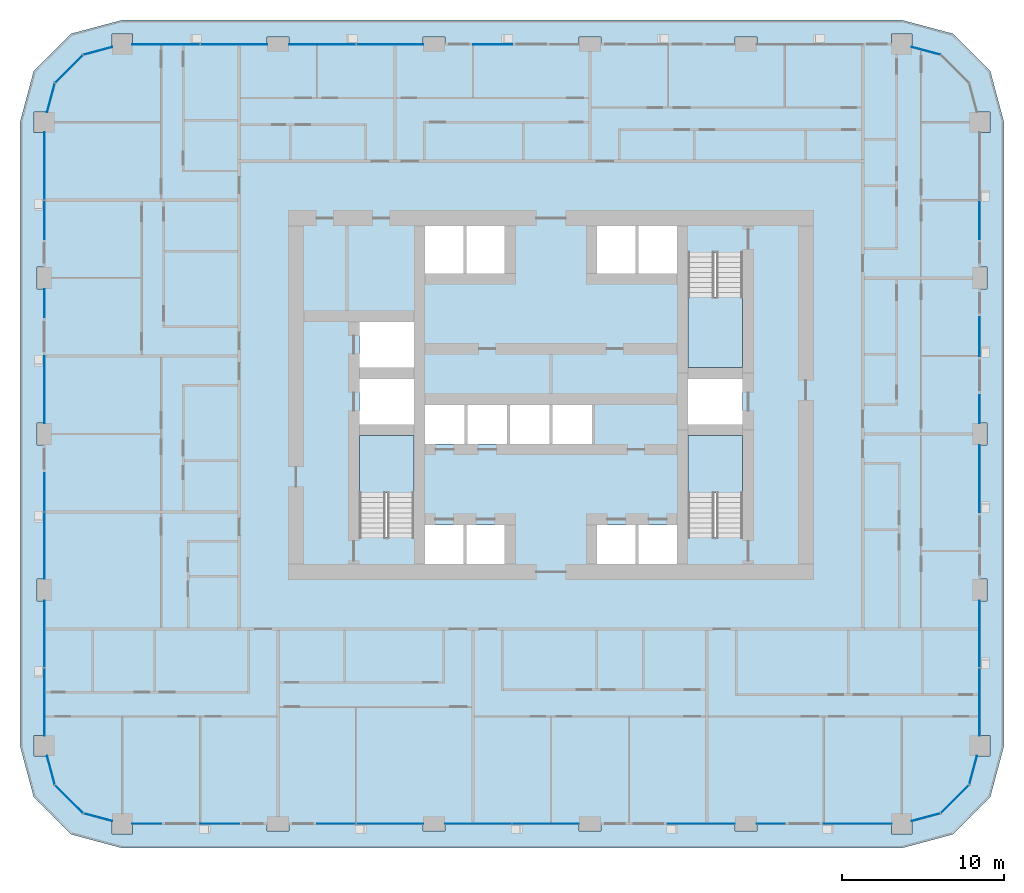
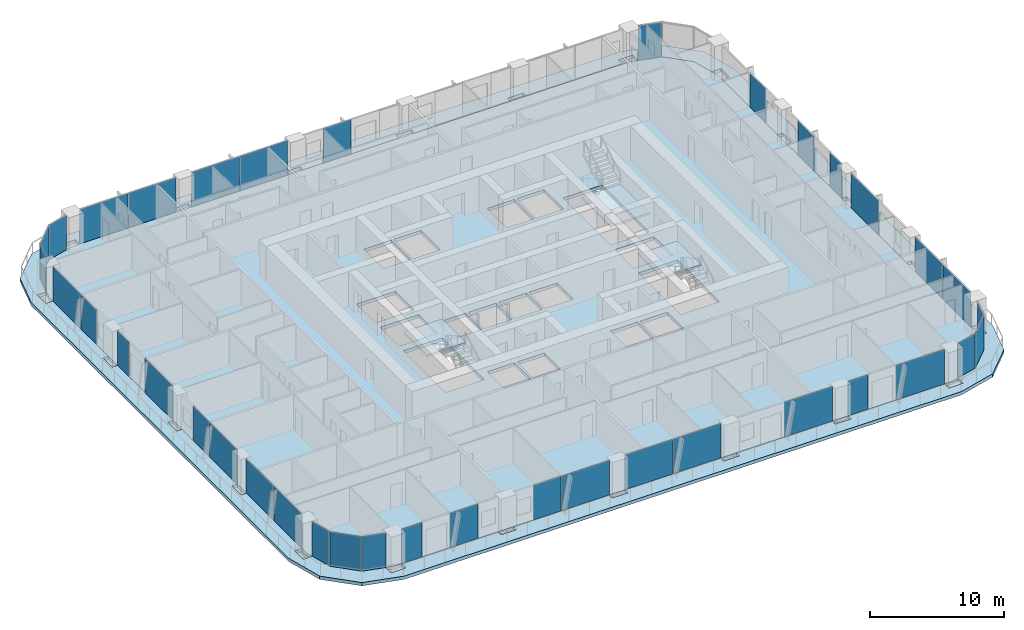
# One storey, part 7 of 21: 38 plates, 5 slabs, 23 elements without a shape of their own.
"""IFC4 building model written with IfcOpenShell, lengths in metres."""

from ifc_helpers import new_model, si_unit, direction, frame, origin, origin_2d, place, context, subcontext, project, spatial, polyline, rectangle, outline, extrude, material, layer, layer_set, type_object, element, aggregate, save


model = new_model("IFC4")

# Units and contexts
model_context = context("Model", 3, precision=1e-05, world=origin(), true_north=direction((0.0, 1.0)))
body_context = subcontext(model_context, "Body", "Model", "MODEL_VIEW")
ifc_project = project(units=[si_unit("LENGTHUNIT", "METRE"), si_unit("AREAUNIT", "SQUARE_METRE"), si_unit("VOLUMEUNIT", "CUBIC_METRE"), si_unit("PLANEANGLEUNIT", "RADIAN"), si_unit("MASSUNIT", "GRAM", prefix="KILO")], contexts=[model_context])

# Site, building, storey
site_placement = place(None, origin())
site = spatial("IfcSite", under=ifc_project, at=site_placement, CompositionType="ELEMENT")
building_placement = place(site_placement, origin())
building = spatial("IfcBuilding", under=site, at=building_placement, Name="Madar Terraces", CompositionType="ELEMENT")
storey_placement = place(building_placement, frame((0.0, 0.0, 39.89990234375)))
storey = spatial("IfcBuildingStorey", under=building, at=storey_placement, Name="L09", CompositionType="ELEMENT", Elevation=39.89990234375)

# Slabs
ifc_material_1 = material(Name="Concrete C50/60", Category="concrete")
ifc_layer_1 = layer(ifc_material_1, 0.300048828125)
ifc_layer_set_1 = layer_set([ifc_layer_1], Name="Balcony band 300")
slab_type_1 = type_object("IfcSlabType", Name="Balcony band 300", PredefinedType="FLOOR", material=ifc_layer_set_1)
slab_1_placement = place(storey_placement, frame((0.0, 0.0, -0.2998046875)))
element("IfcSlab", 1, at=slab_1_placement, inside=storey, type_object=slab_type_1, Name="Balcony band", PredefinedType="FLOOR", context=body_context, shape_type="SweptSolid", body=[
    extrude(outline(polyline([(4.800048828125, -1.5), (1.64990234375, -0.656005859375), (-0.656005859375, 1.64990234375), (-1.5, 4.800048828125), (-1.5, 43.199951171875), (-0.656005859375, 46.35009765625), (1.64990234375, 48.656005859375), (4.800048828125, 49.5), (52.800048828125, 49.5), (55.949951171875, 48.656005859375), (58.256103515625, 46.35009765625), (59.10009765625, 43.199951171875), (59.10009765625, 4.800048828125), (58.256103515625, 1.64990234375), (55.949951171875, -0.656005859375), (52.800048828125, -1.5), (4.800048828125, -1.5)]), holes=[polyline([(5.425048828125, -0.625), (5.425048828125, 0.0), (13.72509765625, 0.0), (13.72509765625, -0.449951171875), (15.074951171875, -0.449951171875), (15.074951171875, 0.0), (23.324951171875, 0.0), (23.324951171875, -0.449951171875), (24.675048828125, -0.449951171875), (24.675048828125, 0.0), (32.925048828125, 0.0), (32.925048828125, -0.449951171875), (34.27490234375, -0.449951171875), (34.27490234375, 0.0), (42.52490234375, 0.0), (42.52490234375, -0.449951171875), (43.875, -0.449951171875), (43.875, 0.0), (52.175048828125, 0.0), (52.175048828125, -0.625), (53.425048828125, -0.625), (53.425048828125, 0.16748046875), (55.199951171875, 0.64306640625), (56.956787109375, 2.39990234375), (57.4326171875, 4.175048828125), (58.22509765625, 4.175048828125), (58.22509765625, 5.425048828125), (57.60009765625, 5.425048828125), (57.60009765625, 13.72509765625), (58.050048828125, 13.72509765625), (58.050048828125, 15.074951171875), (57.60009765625, 15.074951171875), (57.60009765625, 23.324951171875), (58.050048828125, 23.324951171875), (58.050048828125, 24.675048828125), (57.60009765625, 24.675048828125), (57.60009765625, 32.925048828125), (58.050048828125, 32.925048828125), (58.050048828125, 34.27490234375), (57.60009765625, 34.27490234375), (57.60009765625, 42.574951171875), (58.22509765625, 42.574951171875), (58.22509765625, 43.824951171875), (57.4326171875, 43.824951171875), (56.956787109375, 45.60009765625), (55.199951171875, 47.35693359375), (53.425048828125, 47.83251953125), (53.425048828125, 48.625), (52.175048828125, 48.625), (52.175048828125, 48.0), (43.875, 48.0), (43.875, 48.449951171875), (42.52490234375, 48.449951171875), (42.52490234375, 48.0), (34.27490234375, 48.0), (34.27490234375, 48.449951171875), (32.925048828125, 48.449951171875), (32.925048828125, 48.0), (24.675048828125, 48.0), (24.675048828125, 48.449951171875), (23.324951171875, 48.449951171875), (23.324951171875, 48.0), (15.074951171875, 48.0), (15.074951171875, 48.449951171875), (13.72509765625, 48.449951171875), (13.72509765625, 48.0), (5.425048828125, 48.0), (5.425048828125, 48.625), (4.175048828125, 48.625), (4.175048828125, 47.83251953125), (2.39990234375, 47.35693359375), (0.64306640625, 45.60009765625), (0.16748046875, 43.824951171875), (-0.625, 43.824951171875), (-0.625, 42.574951171875), (0.0, 42.574951171875), (0.0, 34.27490234375), (-0.449951171875, 34.27490234375), (-0.449951171875, 32.925048828125), (0.0, 32.925048828125), (0.0, 24.675048828125), (-0.449951171875, 24.675048828125), (-0.449951171875, 23.324951171875), (0.0, 23.324951171875), (0.0, 15.074951171875), (-0.449951171875, 15.074951171875), (-0.449951171875, 13.72509765625), (0.0, 13.72509765625), (0.0, 5.425048828125), (-0.625, 5.425048828125), (-0.625, 4.175048828125), (0.16748046875, 4.175048828125), (0.64306640625, 2.39990234375), (2.39990234375, 0.64306640625), (4.175048828125, 0.16748046875), (4.175048828125, -0.625), (5.425048828125, -0.625)])]), origin(), (0.0, 0.0, 1.0), 0.2998046875),
])
ifc_material_2 = material(Name="Concrete C50/60", Category="concrete")
ifc_layer_2 = layer(ifc_material_2, 0.300048828125)
ifc_layer_set_2 = layer_set([ifc_layer_2], Name="FS2 PT flat slab 300")
slab_type_2 = type_object("IfcSlabType", Name="FS2 PT flat slab 300", PredefinedType="FLOOR", material=ifc_layer_set_2)
slab_2_placement = place(storey_placement, frame((0.0, 0.0, -0.2998046875)))
element("IfcSlab", 2, at=slab_2_placement, inside=storey, type_object=slab_type_2, Name="Floor slab L09 (1)", PredefinedType="FLOOR", context=body_context, shape_type="SweptSolid", body=[
    extrude(outline(polyline([(52.800048828125, 0.0), (55.199951171875, 0.64306640625), (56.95703125, 2.39990234375), (57.60009765625, 4.800048828125), (57.60009765625, 43.199951171875), (56.95703125, 45.60009765625), (55.199951171875, 47.35693359375), (52.800048828125, 48.0), (4.800048828125, 48.0), (2.39990234375, 47.35693359375), (0.64306640625, 45.60009765625), (0.0, 43.199951171875), (0.0, 4.800048828125), (0.64306640625, 2.39990234375), (2.39990234375, 0.64306640625), (4.800048828125, 0.0), (52.800048828125, 0.0)]), holes=[polyline([(23.449951171875, 16.0), (23.449951171875, 18.39990234375), (25.800048828125, 18.39990234375), (25.800048828125, 16.0), (23.449951171875, 16.0)]), polyline([(26.0, 16.0), (26.0, 18.39990234375), (28.35009765625, 18.39990234375), (28.35009765625, 16.0), (26.0, 16.0)]), polyline([(19.39990234375, 17.64990234375), (19.39990234375, 23.89990234375), (22.75, 23.89990234375), (22.75, 17.64990234375), (19.39990234375, 17.64990234375)]), polyline([(23.449951171875, 23.39990234375), (23.449951171875, 25.800048828125), (25.86669921875, 25.800048828125), (25.86669921875, 23.39990234375), (23.449951171875, 23.39990234375)]), polyline([(26.066650390625, 23.39990234375), (26.066650390625, 25.800048828125), (28.4833984375, 25.800048828125), (28.4833984375, 23.39990234375), (26.066650390625, 23.39990234375)]), polyline([(19.39990234375, 24.60009765625), (19.39990234375, 27.39990234375), (22.75, 27.39990234375), (22.75, 24.60009765625), (19.39990234375, 24.60009765625)]), polyline([(19.39990234375, 28.10009765625), (19.39990234375, 30.89990234375), (22.75, 30.89990234375), (22.75, 28.10009765625), (19.39990234375, 28.10009765625)]), polyline([(23.449951171875, 36.800048828125), (25.800048828125, 36.800048828125), (25.800048828125, 33.89990234375), (23.449951171875, 33.89990234375), (23.449951171875, 36.800048828125)]), polyline([(26.0, 36.800048828125), (28.35009765625, 36.800048828125), (28.35009765625, 33.89990234375), (26.0, 33.89990234375), (26.0, 36.800048828125)]), polyline([(34.050048828125, 16.0), (34.050048828125, 18.39990234375), (36.39990234375, 18.39990234375), (36.39990234375, 16.0), (34.050048828125, 16.0)]), polyline([(36.60009765625, 16.0), (36.60009765625, 18.39990234375), (38.949951171875, 18.39990234375), (38.949951171875, 16.0), (36.60009765625, 16.0)]), polyline([(39.64990234375, 17.64990234375), (39.64990234375, 23.89990234375), (43.0, 23.89990234375), (43.0, 17.64990234375), (39.64990234375, 17.64990234375)]), polyline([(28.683349609375, 23.39990234375), (28.683349609375, 25.800048828125), (31.10009765625, 25.800048828125), (31.10009765625, 23.39990234375), (28.683349609375, 23.39990234375)]), polyline([(31.300048828125, 23.39990234375), (31.300048828125, 25.800048828125), (33.716552734375, 25.800048828125), (33.716552734375, 23.39990234375), (31.300048828125, 23.39990234375)]), polyline([(39.64990234375, 24.60009765625), (39.64990234375, 27.39990234375), (43.0, 27.39990234375), (43.0, 24.60009765625), (39.64990234375, 24.60009765625)]), polyline([(39.64990234375, 28.10009765625), (39.64990234375, 35.14990234375), (43.0, 35.14990234375), (43.0, 28.10009765625), (39.64990234375, 28.10009765625)]), polyline([(34.050048828125, 36.800048828125), (36.39990234375, 36.800048828125), (36.39990234375, 33.89990234375), (34.050048828125, 33.89990234375), (34.050048828125, 36.800048828125)]), polyline([(36.60009765625, 36.800048828125), (38.949951171875, 36.800048828125), (38.949951171875, 33.89990234375), (36.60009765625, 33.89990234375), (36.60009765625, 36.800048828125)])]), origin(), (0.0, 0.0, 1.0), 0.2998046875),
])

# Curtain wall, plates
ifc_material_3 = material(Name="Glass, ceramic frit dark grey, with black aluminium frame", Category="aluminium")
ifc_layer_3 = layer(ifc_material_3, 0.199951171875)
ifc_layer_set_3 = layer_set([ifc_layer_3], Name="Facade curtain wall, fritted glass")
curtain_wall_type = type_object("IfcCurtainWallType", Name="Facade curtain wall, fritted glass", PredefinedType="NOTDEFINED", material=ifc_layer_set_3)
curtain_wall_1_placement = place(storey_placement, origin())
curtain_wall_1 = element("IfcCurtainWall", 3, at=curtain_wall_1_placement, inside=storey, type_object=curtain_wall_type, Name="Outer skin curtain wall south bay 1", PredefinedType="NOTDEFINED")
ifc_material_4 = material(Name="Glass, ceramic frit dark grey", Category="glass")
ifc_layer_4 = layer(ifc_material_4, 0.028076171875)
ifc_layer_set_4 = layer_set([ifc_layer_4], Name="Facade glass panel 28")
plate_type = type_object("IfcPlateType", Name="Facade glass panel 28", PredefinedType="CURTAIN_PANEL", material=ifc_layer_set_4)
plate_1_placement = place(storey_placement, frame((6.3125, 0.0, 0.0), z_axis=(0.0, 0.0, 1.0), x_axis=(1.0, 0.0, 0.0)))
plate_1 = element("IfcPlate", 4, at=plate_1_placement, type_object=plate_type, Name="Panel 1", PredefinedType="CURTAIN_PANEL", context=body_context, shape_type="SweptSolid", body=[
    extrude(rectangle(XDim=1.77490234375, YDim=0.028076171875, at=origin_2d()), origin(), (0.0, 0.0, 1.0), 3.139892578125),
])
plate_2_placement = place(storey_placement, frame((10.800048828125, 0.0, 0.0), z_axis=(0.0, 0.0, 1.0), x_axis=(1.0, 0.0, 0.0)))
plate_2 = element("IfcPlate", 5, at=plate_2_placement, type_object=plate_type, Name="Panel 2", PredefinedType="CURTAIN_PANEL", context=body_context, shape_type="SweptSolid", body=[
    extrude(rectangle(XDim=2.39990234375, YDim=0.028076171875, at=origin_2d()), origin(), (0.0, 0.0, 1.0), 3.139892578125),
])
aggregate(curtain_wall_1, [plate_1, plate_2])

curtain_wall_2_placement = place(storey_placement, origin())
curtain_wall_2 = element("IfcCurtainWall", 6, at=curtain_wall_2_placement, inside=storey, type_object=curtain_wall_type, Name="Outer skin curtain wall south bay 2", PredefinedType="NOTDEFINED")
plate_3_placement = place(storey_placement, frame((17.985107421875, 0.0, 0.0), z_axis=(0.0, 0.0, 1.0), x_axis=(1.0, 0.0, 0.0)))
plate_3 = element("IfcPlate", 7, at=plate_3_placement, type_object=plate_type, Name="Panel 1", PredefinedType="CURTAIN_PANEL", context=body_context, shape_type="SweptSolid", body=[
    extrude(rectangle(XDim=2.3701171875, YDim=0.028076171875, at=origin_2d()), origin(), (0.0, 0.0, 1.0), 3.139892578125),
])
plate_4_placement = place(storey_placement, frame((21.277587890625, 0.0, 0.0), z_axis=(0.0, 0.0, 1.0), x_axis=(1.0, 0.0, 0.0)))
plate_4 = element("IfcPlate", 8, at=plate_4_placement, type_object=plate_type, Name="Panel 2", PredefinedType="CURTAIN_PANEL", context=body_context, shape_type="SweptSolid", body=[
    extrude(rectangle(XDim=4.094970703125, YDim=0.028076171875, at=origin_2d()), origin(), (0.0, 0.0, 1.0), 3.139892578125),
])
aggregate(curtain_wall_2, [plate_3, plate_4])

curtain_wall_3_placement = place(storey_placement, origin())
curtain_wall_3 = element("IfcCurtainWall", 9, at=curtain_wall_3_placement, inside=storey, type_object=curtain_wall_type, Name="Outer skin curtain wall south bay 3", PredefinedType="NOTDEFINED")
plate_5_placement = place(storey_placement, frame((26.722412109375, 0.0, 0.0), z_axis=(0.0, 0.0, 1.0), x_axis=(1.0, 0.0, 0.0)))
plate_5 = element("IfcPlate", 10, at=plate_5_placement, type_object=plate_type, Name="Panel 1", PredefinedType="CURTAIN_PANEL", context=body_context, shape_type="SweptSolid", body=[
    extrude(rectangle(XDim=4.094970703125, YDim=0.028076171875, at=origin_2d()), origin(), (0.0, 0.0, 1.0), 3.139892578125),
])
plate_6_placement = place(storey_placement, frame((30.87744140625, 0.0, 0.0), z_axis=(0.0, 0.0, 1.0), x_axis=(1.0, 0.0, 0.0)))
plate_6 = element("IfcPlate", 11, at=plate_6_placement, type_object=plate_type, Name="Panel 2", PredefinedType="CURTAIN_PANEL", context=body_context, shape_type="SweptSolid", body=[
    extrude(rectangle(XDim=4.094970703125, YDim=0.028076171875, at=origin_2d()), origin(), (0.0, 0.0, 1.0), 3.139892578125),
])
aggregate(curtain_wall_3, [plate_5, plate_6])

# Curtain wall, plate
curtain_wall_4_placement = place(storey_placement, origin())
curtain_wall_4 = element("IfcCurtainWall", 12, at=curtain_wall_4_placement, inside=storey, type_object=curtain_wall_type, Name="Outer skin curtain wall south bay 4", PredefinedType="NOTDEFINED")
plate_7_placement = place(storey_placement, frame((40.46240234375, 0.0, 0.0), z_axis=(0.0, 0.0, 1.0), x_axis=(1.0, 0.0, 0.0)))
plate_7 = element("IfcPlate", 13, at=plate_7_placement, type_object=plate_type, Name="Panel 1", PredefinedType="CURTAIN_PANEL", context=body_context, shape_type="SweptSolid", body=[
    extrude(rectangle(XDim=4.125, YDim=0.028076171875, at=origin_2d()), origin(), (0.0, 0.0, 1.0), 3.139892578125),
])
aggregate(curtain_wall_4, [plate_7])

# Curtain wall, plates
curtain_wall_5_placement = place(storey_placement, origin())
curtain_wall_5 = element("IfcCurtainWall", 14, at=curtain_wall_5_placement, inside=storey, type_object=curtain_wall_type, Name="Outer skin curtain wall south bay 5", PredefinedType="NOTDEFINED")
plate_8_placement = place(storey_placement, frame((44.737548828125, 0.0, 0.0), z_axis=(0.0, 0.0, 1.0), x_axis=(1.0, 0.0, 0.0)))
plate_8 = element("IfcPlate", 15, at=plate_8_placement, type_object=plate_type, Name="Panel 1", PredefinedType="CURTAIN_PANEL", context=body_context, shape_type="SweptSolid", body=[
    extrude(rectangle(XDim=1.72509765625, YDim=0.028076171875, at=origin_2d()), origin(), (0.0, 0.0, 1.0), 3.139892578125),
])
plate_9_placement = place(storey_placement, frame((50.08740234375, 0.0, 0.0), z_axis=(0.0, 0.0, 1.0), x_axis=(1.0, 0.0, 0.0)))
plate_9 = element("IfcPlate", 16, at=plate_9_placement, type_object=plate_type, Name="Panel 2", PredefinedType="CURTAIN_PANEL", context=body_context, shape_type="SweptSolid", body=[
    extrude(rectangle(XDim=4.175048828125, YDim=0.028076171875, at=origin_2d()), origin(), (0.0, 0.0, 1.0), 3.139892578125),
])
aggregate(curtain_wall_5, [plate_8, plate_9])

curtain_wall_6_placement = place(storey_placement, origin())
curtain_wall_6 = element("IfcCurtainWall", 17, at=curtain_wall_6_placement, inside=storey, type_object=curtain_wall_type, Name="Outer skin curtain wall east bay 1", PredefinedType="NOTDEFINED")
plate_10_placement = place(storey_placement, frame((57.60009765625, 7.49755859375, 0.0), z_axis=(0.0, 0.0, 1.0), x_axis=(0.0, 1.0, 0.0)))
plate_10 = element("IfcPlate", 18, at=plate_10_placement, type_object=plate_type, Name="Panel 1", PredefinedType="CURTAIN_PANEL", context=body_context, shape_type="SweptSolid", body=[
    extrude(rectangle(XDim=4.14501953125, YDim=0.028076171875, at=origin_2d()), origin(), (0.0, 0.0, 1.0), 3.139892578125),
])
plate_11_placement = place(storey_placement, frame((57.60009765625, 11.677490234375, 0.0), z_axis=(0.0, 0.0, 1.0), x_axis=(0.0, 1.0, 0.0)))
plate_11 = element("IfcPlate", 19, at=plate_11_placement, type_object=plate_type, Name="Panel 2", PredefinedType="CURTAIN_PANEL", context=body_context, shape_type="SweptSolid", body=[
    extrude(rectangle(XDim=4.094970703125, YDim=0.028076171875, at=origin_2d()), origin(), (0.0, 0.0, 1.0), 3.139892578125),
])
aggregate(curtain_wall_6, [plate_10, plate_11])

# Curtain wall, plate
curtain_wall_7_placement = place(storey_placement, origin())
curtain_wall_7 = element("IfcCurtainWall", 20, at=curtain_wall_7_placement, inside=storey, type_object=curtain_wall_type, Name="Outer skin curtain wall east bay 2", PredefinedType="NOTDEFINED")
plate_12_placement = place(storey_placement, frame((57.60009765625, 21.262451171875, 0.0), z_axis=(0.0, 0.0, 1.0), x_axis=(0.0, 1.0, 0.0)))
plate_12 = element("IfcPlate", 21, at=plate_12_placement, type_object=plate_type, Name="Panel 1", PredefinedType="CURTAIN_PANEL", context=body_context, shape_type="SweptSolid", body=[
    extrude(rectangle(XDim=4.125, YDim=0.028076171875, at=origin_2d()), origin(), (0.0, 0.0, 1.0), 3.139892578125),
])
aggregate(curtain_wall_7, [plate_12])

# Curtain wall, plates
curtain_wall_8_placement = place(storey_placement, origin())
curtain_wall_8 = element("IfcCurtainWall", 22, at=curtain_wall_8_placement, inside=storey, type_object=curtain_wall_type, Name="Outer skin curtain wall east bay 3", PredefinedType="NOTDEFINED")
plate_13_placement = place(storey_placement, frame((57.60009765625, 25.53759765625, 0.0), z_axis=(0.0, 0.0, 1.0), x_axis=(0.0, 1.0, 0.0)))
plate_13 = element("IfcPlate", 23, at=plate_13_placement, type_object=plate_type, Name="Panel 1", PredefinedType="CURTAIN_PANEL", context=body_context, shape_type="SweptSolid", body=[
    extrude(rectangle(XDim=1.72509765625, YDim=0.028076171875, at=origin_2d()), origin(), (0.0, 0.0, 1.0), 3.139892578125),
])
plate_14_placement = place(storey_placement, frame((57.60009765625, 30.0, 0.0), z_axis=(0.0, 0.0, 1.0), x_axis=(0.0, 1.0, 0.0)))
plate_14 = element("IfcPlate", 24, at=plate_14_placement, type_object=plate_type, Name="Panel 2", PredefinedType="CURTAIN_PANEL", context=body_context, shape_type="SweptSolid", body=[
    extrude(rectangle(XDim=2.39990234375, YDim=0.028076171875, at=origin_2d()), origin(), (0.0, 0.0, 1.0), 3.139892578125),
])
aggregate(curtain_wall_8, [plate_13, plate_14])

# Curtain wall, plate
curtain_wall_9_placement = place(storey_placement, origin())
curtain_wall_9 = element("IfcCurtainWall", 25, at=curtain_wall_9_placement, inside=storey, type_object=curtain_wall_type, Name="Outer skin curtain wall east bay 4", PredefinedType="NOTDEFINED")
plate_15_placement = place(storey_placement, frame((57.60009765625, 37.18505859375, 0.0), z_axis=(0.0, 0.0, 1.0), x_axis=(0.0, 1.0, 0.0)))
plate_15 = element("IfcPlate", 26, at=plate_15_placement, type_object=plate_type, Name="Panel 1", PredefinedType="CURTAIN_PANEL", context=body_context, shape_type="SweptSolid", body=[
    extrude(rectangle(XDim=2.3701171875, YDim=0.028076171875, at=origin_2d()), origin(), (0.0, 0.0, 1.0), 3.139892578125),
])
aggregate(curtain_wall_9, [plate_15])

curtain_wall_10_placement = place(storey_placement, origin())
curtain_wall_10 = element("IfcCurtainWall", 27, at=curtain_wall_10_placement, inside=storey, type_object=curtain_wall_type, Name="Outer skin curtain wall north bay 3", PredefinedType="NOTDEFINED")
plate_16_placement = place(storey_placement, frame((27.60009765625, 48.0, 0.0), z_axis=(0.0, 0.0, 1.0), x_axis=(-1.0, 0.0, 0.0)))
plate_16 = element("IfcPlate", 28, at=plate_16_placement, type_object=plate_type, Name="Panel 2", PredefinedType="CURTAIN_PANEL", context=body_context, shape_type="SweptSolid", body=[
    extrude(rectangle(XDim=2.39990234375, YDim=0.028076171875, at=origin_2d()), origin(), (0.0, 0.0, 1.0), 3.139892578125),
])
aggregate(curtain_wall_10, [plate_16])

# Curtain wall, plates
curtain_wall_11_placement = place(storey_placement, origin())
curtain_wall_11 = element("IfcCurtainWall", 29, at=curtain_wall_11_placement, inside=storey, type_object=curtain_wall_type, Name="Outer skin curtain wall north bay 4", PredefinedType="NOTDEFINED")
plate_17_placement = place(storey_placement, frame((21.277587890625, 48.0, 0.0), z_axis=(0.0, 0.0, 1.0), x_axis=(-1.0, 0.0, 0.0)))
plate_17 = element("IfcPlate", 30, at=plate_17_placement, type_object=plate_type, Name="Panel 1", PredefinedType="CURTAIN_PANEL", context=body_context, shape_type="SweptSolid", body=[
    extrude(rectangle(XDim=4.094970703125, YDim=0.028076171875, at=origin_2d()), origin(), (0.0, 0.0, 1.0), 3.139892578125),
])
plate_18_placement = place(storey_placement, frame((17.12255859375, 48.0, 0.0), z_axis=(0.0, 0.0, 1.0), x_axis=(-1.0, 0.0, 0.0)))
plate_18 = element("IfcPlate", 31, at=plate_18_placement, type_object=plate_type, Name="Panel 2", PredefinedType="CURTAIN_PANEL", context=body_context, shape_type="SweptSolid", body=[
    extrude(rectangle(XDim=4.094970703125, YDim=0.028076171875, at=origin_2d()), origin(), (0.0, 0.0, 1.0), 3.139892578125),
])
aggregate(curtain_wall_11, [plate_17, plate_18])

curtain_wall_12_placement = place(storey_placement, origin())
curtain_wall_12 = element("IfcCurtainWall", 32, at=curtain_wall_12_placement, inside=storey, type_object=curtain_wall_type, Name="Outer skin curtain wall north bay 5", PredefinedType="NOTDEFINED")
plate_19_placement = place(storey_placement, frame((11.677490234375, 48.0, 0.0), z_axis=(0.0, 0.0, 1.0), x_axis=(-1.0, 0.0, 0.0)))
plate_19 = element("IfcPlate", 33, at=plate_19_placement, type_object=plate_type, Name="Panel 1", PredefinedType="CURTAIN_PANEL", context=body_context, shape_type="SweptSolid", body=[
    extrude(rectangle(XDim=4.094970703125, YDim=0.028076171875, at=origin_2d()), origin(), (0.0, 0.0, 1.0), 3.139892578125),
])
plate_20_placement = place(storey_placement, frame((7.49755859375, 48.0, 0.0), z_axis=(0.0, 0.0, 1.0), x_axis=(-1.0, 0.0, 0.0)))
plate_20 = element("IfcPlate", 34, at=plate_20_placement, type_object=plate_type, Name="Panel 2", PredefinedType="CURTAIN_PANEL", context=body_context, shape_type="SweptSolid", body=[
    extrude(rectangle(XDim=4.14501953125, YDim=0.028076171875, at=origin_2d()), origin(), (0.0, 0.0, 1.0), 3.139892578125),
])
aggregate(curtain_wall_12, [plate_19, plate_20])

curtain_wall_13_placement = place(storey_placement, origin())
curtain_wall_13 = element("IfcCurtainWall", 35, at=curtain_wall_13_placement, inside=storey, type_object=curtain_wall_type, Name="Outer skin curtain wall west bay 1", PredefinedType="NOTDEFINED")
plate_21_placement = place(storey_placement, frame((0.0, 40.50244140625, 0.0), z_axis=(0.0, 0.0, 1.0), x_axis=(0.0, -1.0, 0.0)))
plate_21 = element("IfcPlate", 36, at=plate_21_placement, type_object=plate_type, Name="Panel 1", PredefinedType="CURTAIN_PANEL", context=body_context, shape_type="SweptSolid", body=[
    extrude(rectangle(XDim=4.14501953125, YDim=0.028076171875, at=origin_2d()), origin(), (0.0, 0.0, 1.0), 3.139892578125),
])
plate_22_placement = place(storey_placement, frame((0.0, 37.18505859375, 0.0), z_axis=(0.0, 0.0, 1.0), x_axis=(0.0, -1.0, 0.0)))
plate_22 = element("IfcPlate", 37, at=plate_22_placement, type_object=plate_type, Name="Panel 2", PredefinedType="CURTAIN_PANEL", context=body_context, shape_type="SweptSolid", body=[
    extrude(rectangle(XDim=2.3701171875, YDim=0.028076171875, at=origin_2d()), origin(), (0.0, 0.0, 1.0), 3.139892578125),
])
aggregate(curtain_wall_13, [plate_21, plate_22])

curtain_wall_14_placement = place(storey_placement, origin())
curtain_wall_14 = element("IfcCurtainWall", 38, at=curtain_wall_14_placement, inside=storey, type_object=curtain_wall_type, Name="Outer skin curtain wall west bay 2", PredefinedType="NOTDEFINED")
plate_23_placement = place(storey_placement, frame((0.0, 32.0625, 0.0), z_axis=(0.0, 0.0, 1.0), x_axis=(0.0, -1.0, 0.0)))
plate_23 = element("IfcPlate", 39, at=plate_23_placement, type_object=plate_type, Name="Panel 1", PredefinedType="CURTAIN_PANEL", context=body_context, shape_type="SweptSolid", body=[
    extrude(rectangle(XDim=1.72509765625, YDim=0.028076171875, at=origin_2d()), origin(), (0.0, 0.0, 1.0), 3.139892578125),
])
plate_24_placement = place(storey_placement, frame((0.0, 26.737548828125, 0.0), z_axis=(0.0, 0.0, 1.0), x_axis=(0.0, -1.0, 0.0)))
plate_24 = element("IfcPlate", 40, at=plate_24_placement, type_object=plate_type, Name="Panel 2", PredefinedType="CURTAIN_PANEL", context=body_context, shape_type="SweptSolid", body=[
    extrude(rectangle(XDim=4.125, YDim=0.028076171875, at=origin_2d()), origin(), (0.0, 0.0, 1.0), 3.139892578125),
])
aggregate(curtain_wall_14, [plate_23, plate_24])

curtain_wall_15_placement = place(storey_placement, origin())
curtain_wall_15 = element("IfcCurtainWall", 41, at=curtain_wall_15_placement, inside=storey, type_object=curtain_wall_type, Name="Outer skin curtain wall west bay 3", PredefinedType="NOTDEFINED")
plate_25_placement = place(storey_placement, frame((0.0, 20.4150390625, 0.0), z_axis=(0.0, 0.0, 1.0), x_axis=(0.0, -1.0, 0.0)))
plate_25 = element("IfcPlate", 42, at=plate_25_placement, type_object=plate_type, Name="Panel 1", PredefinedType="CURTAIN_PANEL", context=body_context, shape_type="SweptSolid", body=[
    extrude(rectangle(XDim=2.3701171875, YDim=0.028076171875, at=origin_2d()), origin(), (0.0, 0.0, 1.0), 3.139892578125),
])
plate_26_placement = place(storey_placement, frame((0.0, 17.12255859375, 0.0), z_axis=(0.0, 0.0, 1.0), x_axis=(0.0, -1.0, 0.0)))
plate_26 = element("IfcPlate", 43, at=plate_26_placement, type_object=plate_type, Name="Panel 2", PredefinedType="CURTAIN_PANEL", context=body_context, shape_type="SweptSolid", body=[
    extrude(rectangle(XDim=4.094970703125, YDim=0.028076171875, at=origin_2d()), origin(), (0.0, 0.0, 1.0), 3.139892578125),
])
aggregate(curtain_wall_15, [plate_25, plate_26])

curtain_wall_16_placement = place(storey_placement, origin())
curtain_wall_16 = element("IfcCurtainWall", 44, at=curtain_wall_16_placement, inside=storey, type_object=curtain_wall_type, Name="Outer skin curtain wall west bay 4", PredefinedType="NOTDEFINED")
plate_27_placement = place(storey_placement, frame((0.0, 11.677490234375, 0.0), z_axis=(0.0, 0.0, 1.0), x_axis=(0.0, -1.0, 0.0)))
plate_27 = element("IfcPlate", 45, at=plate_27_placement, type_object=plate_type, Name="Panel 1", PredefinedType="CURTAIN_PANEL", context=body_context, shape_type="SweptSolid", body=[
    extrude(rectangle(XDim=4.094970703125, YDim=0.028076171875, at=origin_2d()), origin(), (0.0, 0.0, 1.0), 3.139892578125),
])
plate_28_placement = place(storey_placement, frame((0.0, 7.49755859375, 0.0), z_axis=(0.0, 0.0, 1.0), x_axis=(0.0, -1.0, 0.0)))
plate_28 = element("IfcPlate", 46, at=plate_28_placement, type_object=plate_type, Name="Panel 2", PredefinedType="CURTAIN_PANEL", context=body_context, shape_type="SweptSolid", body=[
    extrude(rectangle(XDim=4.14501953125, YDim=0.028076171875, at=origin_2d()), origin(), (0.0, 0.0, 1.0), 3.139892578125),
])
aggregate(curtain_wall_16, [plate_27, plate_28])

curtain_wall_17_placement = place(storey_placement, origin())
curtain_wall_17 = element("IfcCurtainWall", 47, at=curtain_wall_17_placement, inside=storey, type_object=curtain_wall_type, Name="Outer skin curtain wall south-east corner", PredefinedType="NOTDEFINED")
plate_29_placement = place(storey_placement, frame((54.298095703125, 0.4013671875, 0.0), z_axis=(0.0, 0.0, 1.0), x_axis=(0.965925832509, 0.258819021888, 0.0)))
plate_29 = element("IfcPlate", 48, at=plate_29_placement, type_object=plate_type, Name="Panel 1", PredefinedType="CURTAIN_PANEL", context=body_context, shape_type="SweptSolid", body=[
    extrude(rectangle(XDim=1.8076171875, YDim=0.028076171875, at=origin_2d()), origin(), (0.0, 0.0, 1.0), 3.139892578125),
])
plate_30_placement = place(storey_placement, frame((56.078369140625, 1.521484375, 0.0), z_axis=(0.0, 0.0, 1.0), x_axis=(0.707106781187, 0.707106781187, 0.0)))
plate_30 = element("IfcPlate", 49, at=plate_30_placement, type_object=plate_type, Name="Panel 2", PredefinedType="CURTAIN_PANEL", context=body_context, shape_type="SweptSolid", body=[
    extrude(rectangle(XDim=2.424560546875, YDim=0.028076171875, at=origin_2d()), origin(), (0.0, 0.0, 1.0), 3.139892578125),
])
plate_31_placement = place(storey_placement, frame((57.19873046875, 3.302001953125, 0.0), z_axis=(0.0, 0.0, 1.0), x_axis=(0.258819021888, 0.965925832509, 0.0)))
plate_31 = element("IfcPlate", 50, at=plate_31_placement, type_object=plate_type, Name="Panel 3", PredefinedType="CURTAIN_PANEL", context=body_context, shape_type="SweptSolid", body=[
    extrude(rectangle(XDim=1.8076171875, YDim=0.028076171875, at=origin_2d()), origin(), (0.0, 0.0, 1.0), 3.139892578125),
])
aggregate(curtain_wall_17, [plate_29, plate_30, plate_31])

# Curtain wall, plate
curtain_wall_18_placement = place(storey_placement, origin())
curtain_wall_18 = element("IfcCurtainWall", 51, at=curtain_wall_18_placement, inside=storey, type_object=curtain_wall_type, Name="Outer skin curtain wall north-east corner", PredefinedType="NOTDEFINED")
plate_32_placement = place(storey_placement, frame((54.298095703125, 47.5986328125, 0.0), z_axis=(0.0, 0.0, 1.0), x_axis=(-0.965925832509, 0.258819021888, 0.0)))
plate_32 = element("IfcPlate", 52, at=plate_32_placement, type_object=plate_type, Name="Panel 3", PredefinedType="CURTAIN_PANEL", context=body_context, shape_type="SweptSolid", body=[
    extrude(rectangle(XDim=1.8076171875, YDim=0.028076171875, at=origin_2d()), origin(), (0.0, 0.0, 1.0), 3.139892578125),
])
aggregate(curtain_wall_18, [plate_32])

# Curtain wall, plates
curtain_wall_19_placement = place(storey_placement, origin())
curtain_wall_19 = element("IfcCurtainWall", 53, at=curtain_wall_19_placement, inside=storey, type_object=curtain_wall_type, Name="Outer skin curtain wall north-west corner", PredefinedType="NOTDEFINED")
plate_33_placement = place(storey_placement, frame((3.302001953125, 47.5986328125, 0.0), z_axis=(0.0, 0.0, 1.0), x_axis=(-0.965925832509, -0.258819021888, 0.0)))
plate_33 = element("IfcPlate", 54, at=plate_33_placement, type_object=plate_type, Name="Panel 1", PredefinedType="CURTAIN_PANEL", context=body_context, shape_type="SweptSolid", body=[
    extrude(rectangle(XDim=1.8076171875, YDim=0.028076171875, at=origin_2d()), origin(), (0.0, 0.0, 1.0), 3.139892578125),
])
plate_34_placement = place(storey_placement, frame((1.521484375, 46.478515625, 0.0), z_axis=(0.0, 0.0, 1.0), x_axis=(-0.707106781187, -0.707106781187, 0.0)))
plate_34 = element("IfcPlate", 55, at=plate_34_placement, type_object=plate_type, Name="Panel 2", PredefinedType="CURTAIN_PANEL", context=body_context, shape_type="SweptSolid", body=[
    extrude(rectangle(XDim=2.424560546875, YDim=0.028076171875, at=origin_2d()), origin(), (0.0, 0.0, 1.0), 3.139892578125),
])
plate_35_placement = place(storey_placement, frame((0.4013671875, 44.697998046875, 0.0), z_axis=(0.0, 0.0, 1.0), x_axis=(-0.258819021888, -0.965925832509, 0.0)))
plate_35 = element("IfcPlate", 56, at=plate_35_placement, type_object=plate_type, Name="Panel 3", PredefinedType="CURTAIN_PANEL", context=body_context, shape_type="SweptSolid", body=[
    extrude(rectangle(XDim=1.8076171875, YDim=0.028076171875, at=origin_2d()), origin(), (0.0, 0.0, 1.0), 3.139892578125),
])
aggregate(curtain_wall_19, [plate_33, plate_34, plate_35])

curtain_wall_20_placement = place(storey_placement, origin())
curtain_wall_20 = element("IfcCurtainWall", 57, at=curtain_wall_20_placement, inside=storey, type_object=curtain_wall_type, Name="Outer skin curtain wall south-west corner", PredefinedType="NOTDEFINED")
plate_36_placement = place(storey_placement, frame((0.4013671875, 3.302001953125, 0.0), z_axis=(0.0, 0.0, 1.0), x_axis=(0.258819021888, -0.965925832509, 0.0)))
plate_36 = element("IfcPlate", 58, at=plate_36_placement, type_object=plate_type, Name="Panel 1", PredefinedType="CURTAIN_PANEL", context=body_context, shape_type="SweptSolid", body=[
    extrude(rectangle(XDim=1.8076171875, YDim=0.028076171875, at=origin_2d()), origin(), (0.0, 0.0, 1.0), 3.139892578125),
])
plate_37_placement = place(storey_placement, frame((1.521484375, 1.521484375, 0.0), z_axis=(0.0, 0.0, 1.0), x_axis=(0.707106781187, -0.707106781187, 0.0)))
plate_37 = element("IfcPlate", 59, at=plate_37_placement, type_object=plate_type, Name="Panel 2", PredefinedType="CURTAIN_PANEL", context=body_context, shape_type="SweptSolid", body=[
    extrude(rectangle(XDim=2.424560546875, YDim=0.028076171875, at=origin_2d()), origin(), (0.0, 0.0, 1.0), 3.139892578125),
])
plate_38_placement = place(storey_placement, frame((3.302001953125, 0.4013671875, 0.0), z_axis=(0.0, 0.0, 1.0), x_axis=(0.965925832509, -0.258819021888, 0.0)))
plate_38 = element("IfcPlate", 60, at=plate_38_placement, type_object=plate_type, Name="Panel 3", PredefinedType="CURTAIN_PANEL", context=body_context, shape_type="SweptSolid", body=[
    extrude(rectangle(XDim=1.8076171875, YDim=0.028076171875, at=origin_2d()), origin(), (0.0, 0.0, 1.0), 3.139892578125),
])
aggregate(curtain_wall_20, [plate_36, plate_37, plate_38])

# Stair, slab
ifc_material_5 = material(Name="Concrete C50/60", Category="concrete")
stair_type_1 = type_object("IfcStairType", Name="Stair ST1 protected exit", PredefinedType="HALF_TURN_STAIR", material=ifc_material_5)
stair_1_placement = place(storey_placement, origin())
stair_1 = element("IfcStair", 61, at=stair_1_placement, inside=storey, type_object=stair_type_1, Name="L09 Protected Exit Stair ST1", PredefinedType="HALF_TURN_STAIR")
ifc_material_6 = material(Name="Concrete C50/60", Category="concrete")
ifc_layer_5 = layer(ifc_material_6, 0.199951171875)
ifc_layer_set_5 = layer_set([ifc_layer_5], Name="Stair landing 200, top +1.75")
slab_type_3 = type_object("IfcSlabType", Name="Stair landing 200, top +1.75", PredefinedType="LANDING", material=ifc_layer_set_5)
slab_3_placement = place(storey_placement, frame((0.0, 0.0, 1.550048828125)))
slab_3 = element("IfcSlab", 62, at=slab_3_placement, type_object=slab_type_3, Name="ST1 landing 1", PredefinedType="LANDING", context=body_context, shape_type="SweptSolid", body=[
    extrude(outline(polyline([(19.39990234375, 20.360107421875), (22.75, 20.360107421875), (22.75, 23.89990234375), (19.39990234375, 23.89990234375), (19.39990234375, 20.360107421875)])), origin(), (0.0, 0.0, 1.0), 0.199951171875),
])
aggregate(stair_1, [slab_3])

ifc_material_7 = material(Name="Concrete C50/60", Category="concrete")
stair_type_2 = type_object("IfcStairType", Name="Stair ST2 protected exit", PredefinedType="HALF_TURN_STAIR", material=ifc_material_7)
stair_2_placement = place(storey_placement, origin())
stair_2 = element("IfcStair", 63, at=stair_2_placement, inside=storey, type_object=stair_type_2, Name="L09 Protected Exit Stair ST2", PredefinedType="HALF_TURN_STAIR")
slab_4_placement = place(storey_placement, frame((0.0, 0.0, 1.550048828125)))
slab_4 = element("IfcSlab", 64, at=slab_4_placement, type_object=slab_type_3, Name="ST2 landing 1", PredefinedType="LANDING", context=body_context, shape_type="SweptSolid", body=[
    extrude(outline(polyline([(39.64990234375, 28.10009765625), (43.0, 28.10009765625), (43.0, 32.43994140625), (39.64990234375, 32.43994140625), (39.64990234375, 28.10009765625)])), origin(), (0.0, 0.0, 1.0), 0.199951171875),
])
aggregate(stair_2, [slab_4])

ifc_material_8 = material(Name="Concrete C50/60", Category="concrete")
stair_type_3 = type_object("IfcStairType", Name="Stair ST3 protected exit", PredefinedType="HALF_TURN_STAIR", material=ifc_material_8)
stair_3_placement = place(storey_placement, origin())
stair_3 = element("IfcStair", 65, at=stair_3_placement, inside=storey, type_object=stair_type_3, Name="L09 Protected Exit Stair ST3", PredefinedType="HALF_TURN_STAIR")
slab_5_placement = place(storey_placement, frame((0.0, 0.0, 1.550048828125)))
slab_5 = element("IfcSlab", 66, at=slab_5_placement, type_object=slab_type_3, Name="ST3 landing 1", PredefinedType="LANDING", context=body_context, shape_type="SweptSolid", body=[
    extrude(outline(polyline([(39.64990234375, 20.360107421875), (43.0, 20.360107421875), (43.0, 23.89990234375), (39.64990234375, 23.89990234375), (39.64990234375, 20.360107421875)])), origin(), (0.0, 0.0, 1.0), 0.199951171875),
])
aggregate(stair_3, [slab_5])

save(model, "model.ifc")
